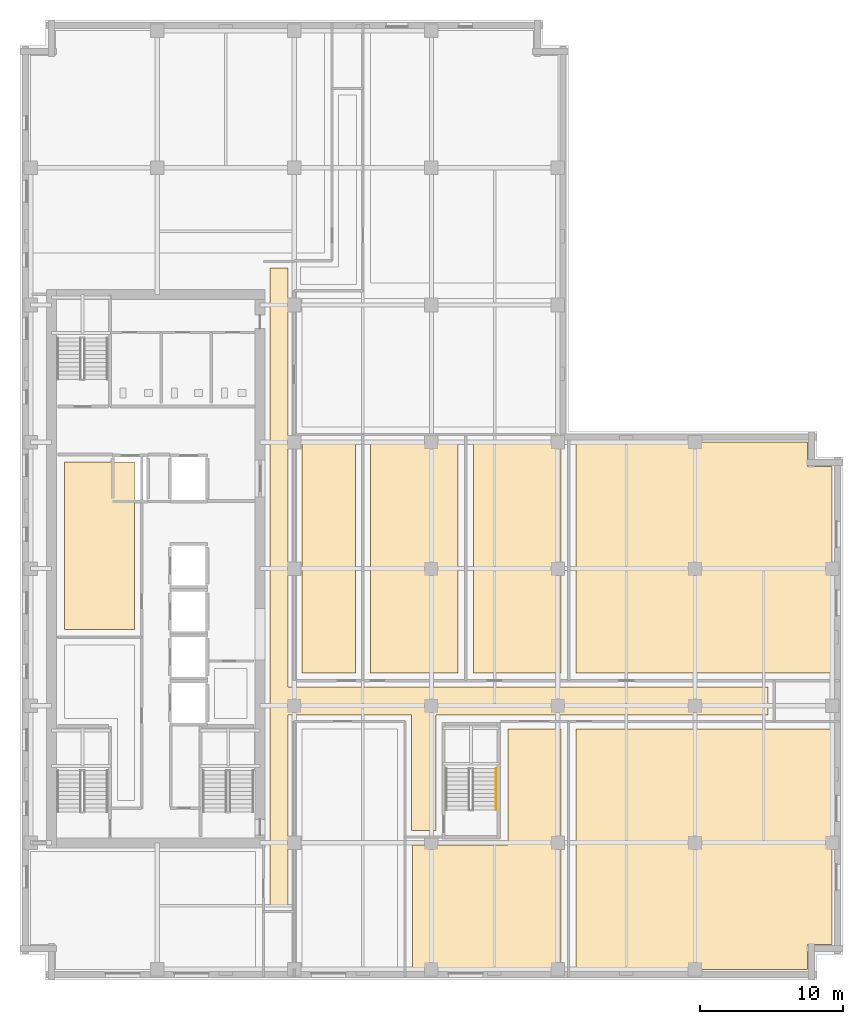
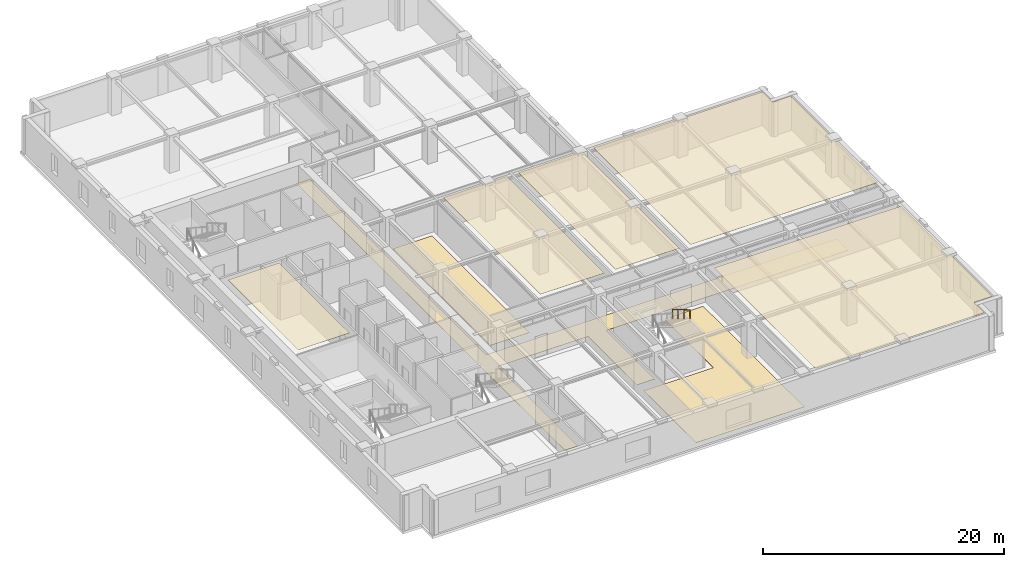
# One storey, part 10 of 13: 8 coverings, 1 railing.
"""IFC4 building model written with IfcOpenShell, lengths in metres."""

from ifc_helpers import new_model, si_unit, direction, frame, origin, origin_2d, place, context, subcontext, project, spatial, polyline, circle, outline, extrude, material, layer, layer_set, type_object, element, save


model = new_model("IFC4")

# Units and contexts
model_context = context("Model", 3, precision=1e-05, world=origin(), true_north=direction((0.0, 1.0)))
body_context = subcontext(model_context, "Body", "Model", "MODEL_VIEW")
ifc_project = project(units=[si_unit("LENGTHUNIT", "METRE"), si_unit("AREAUNIT", "SQUARE_METRE"), si_unit("VOLUMEUNIT", "CUBIC_METRE"), si_unit("PLANEANGLEUNIT", "RADIAN"), si_unit("MASSUNIT", "GRAM", prefix="KILO")], contexts=[model_context])

# Site, building, storey
site_placement = place(None, origin())
site = spatial("IfcSite", under=ifc_project, at=site_placement, CompositionType="ELEMENT")
building_placement = place(site_placement, origin())
building = spatial("IfcBuilding", under=site, at=building_placement, Name="Norrvale University Quadrangle", CompositionType="ELEMENT")
storey_placement = place(building_placement, frame((0.0, 0.0, 178.800048828125)))
storey = spatial("IfcBuildingStorey", under=building, at=storey_placement, Name="L45", CompositionType="ELEMENT", Elevation=178.800048828125)

# Coverings
ifc_material_1 = material(Name="Perforated Acoustic Mineral Ceiling")
ifc_layer_1 = layer(ifc_material_1, 0.02490234375, Name="Perforated Acoustic Mineral Ceiling")
ifc_layer_set_1 = layer_set([ifc_layer_1], Name="Perforated Acoustic Mineral Ceiling")
covering_type_1 = type_object("IfcCoveringType", Name="Covering Acoustic Ceiling 25", PredefinedType="CEILING", material=ifc_layer_set_1)
covering_1_placement = place(storey_placement, frame((0.0, 0.0, 3.514892578125)))
element("IfcCovering", 1, at=covering_1_placement, inside=storey, type_object=covering_type_1, Name="Acoustic Ceiling RM-L45-REC2", PredefinedType="CEILING", context=body_context, shape_type="SweptSolid", body=[
    extrude(outline(polyline([(3.10009765625, 24.550048828125), (3.10009765625, 36.25), (8.0, 36.25), (8.0, 24.550048828125), (3.10009765625, 24.550048828125)])), origin(), (0.0, 0.0, 1.0), 0.025146484375),
])
covering_2_placement = place(storey_placement, frame((0.0, 0.0, 3.514892578125)))
element("IfcCovering", 2, at=covering_2_placement, inside=storey, type_object=covering_type_1, Name="Acoustic Ceiling RM-L45-SE3", PredefinedType="CEILING", context=body_context, shape_type="SweptSolid", body=[
    extrude(outline(polyline([(38.929931640625, 0.75), (38.929931640625, 17.570068359375), (56.85009765625, 17.570068359375), (56.85009765625, 2.469970703125), (55.1298828125, 2.469970703125), (55.1298828125, 0.75), (38.929931640625, 0.75)])), origin(), (0.0, 0.0, 1.0), 0.025146484375),
])
covering_3_placement = place(storey_placement, frame((0.0, 0.0, 3.514892578125)))
element("IfcCovering", 3, at=covering_3_placement, inside=storey, type_object=covering_type_1, Name="Acoustic Ceiling RM-L45-ME02", PredefinedType="CEILING", context=body_context, shape_type="SweptSolid", body=[
    extrude(outline(polyline([(24.530029296875, 37.64990234375), (30.669921875, 37.64990234375), (30.669921875, 21.47998046875), (24.530029296875, 21.47998046875), (24.530029296875, 37.64990234375)])), origin(), (0.0, 0.0, 1.0), 0.025146484375),
])
covering_4_placement = place(storey_placement, frame((0.0, 0.0, 3.514892578125)))
element("IfcCovering", 4, at=covering_4_placement, inside=storey, type_object=covering_type_1, Name="Acoustic Ceiling RM-L45-ME03", PredefinedType="CEILING", context=body_context, shape_type="SweptSolid", body=[
    extrude(outline(polyline([(31.72998046875, 37.64990234375), (37.8701171875, 37.64990234375), (37.8701171875, 21.47998046875), (31.72998046875, 21.47998046875), (31.72998046875, 37.64990234375)])), origin(), (0.0, 0.0, 1.0), 0.025146484375),
])
covering_5_placement = place(storey_placement, frame((0.0, 0.0, 3.514892578125)))
element("IfcCovering", 5, at=covering_5_placement, inside=storey, type_object=covering_type_1, Name="Acoustic Ceiling RM-L45-ME04", PredefinedType="CEILING", context=body_context, shape_type="SweptSolid", body=[
    extrude(outline(polyline([(56.85009765625, 21.47998046875), (38.929931640625, 21.47998046875), (38.929931640625, 37.64990234375), (55.1298828125, 37.64990234375), (55.1298828125, 35.929931640625), (56.85009765625, 35.929931640625), (56.85009765625, 21.47998046875)])), origin(), (0.0, 0.0, 1.0), 0.025146484375),
])
ifc_material_2 = material(Name="Polished Terrazzo Flooring")
ifc_layer_2 = layer(ifc_material_2, 0.02490234375, Name="Polished Terrazzo Flooring")
ifc_layer_set_2 = layer_set([ifc_layer_2], Name="Polished Terrazzo Flooring")
covering_type_2 = type_object("IfcCoveringType", Name="Covering Terrazzo Floor 30", PredefinedType="FLOORING", material=ifc_layer_set_2)
covering_6_placement = place(storey_placement, origin())
element("IfcCovering", 6, at=covering_6_placement, inside=storey, type_object=covering_type_2, Name="Terrazzo Flooring RM-L45-CORR1", PredefinedType="FLOORING", context=body_context, shape_type="SweptSolid", body=[
    extrude(outline(polyline([(17.5, 5.25), (17.5, 49.85009765625), (18.75, 49.85009765625), (18.75, 20.5), (52.35009765625, 20.5), (52.35009765625, 18.550048828125), (29.1298828125, 18.550048828125), (29.1298828125, 10.449951171875), (27.39990234375, 10.449951171875), (27.39990234375, 18.550048828125), (18.75, 18.550048828125), (18.75, 5.25), (17.5, 5.25)])), origin(), (0.0, 0.0, 1.0), 0.02490234375),
])
covering_7_placement = place(storey_placement, origin())
element("IfcCovering", 7, at=covering_7_placement, inside=storey, type_object=covering_type_2, Name="Terrazzo Flooring RM-L45-SE2", PredefinedType="FLOORING", context=body_context, shape_type="SweptSolid", body=[
    extrude(outline(polyline([(27.47998046875, 9.449951171875), (34.14990234375, 9.449951171875), (34.14990234375, 17.570068359375), (37.8701171875, 17.570068359375), (37.8701171875, 0.75), (27.47998046875, 0.75), (27.47998046875, 9.449951171875)])), origin(), (0.0, 0.0, 1.0), 0.02490234375),
])
covering_8_placement = place(storey_placement, origin())
element("IfcCovering", 8, at=covering_8_placement, inside=storey, type_object=covering_type_2, Name="Terrazzo Flooring RM-L45-ME01", PredefinedType="FLOORING", context=body_context, shape_type="SweptSolid", body=[
    extrude(outline(polyline([(19.72998046875, 37.64990234375), (23.469970703125, 37.64990234375), (23.469970703125, 21.47998046875), (19.72998046875, 21.47998046875), (19.72998046875, 37.64990234375)])), origin(), (0.0, 0.0, 1.0), 0.02490234375),
])

# Railing
ifc_material_3 = material(Name="Stainless Steel 316L Handrail", Category="steel")
railing_type = type_object("IfcRailingType", Name="Railing Stair Handrail 920", PredefinedType="HANDRAIL", material=ifc_material_3)
railing_placement = place(storey_placement, frame((33.31005859375, 14.800048828125, 2.07275390625)))
element("IfcRailing", 9, at=railing_placement, inside=storey, type_object=railing_type, Name="Stair Upper Flight Handrail ST-04 L45", PredefinedType="HANDRAIL", context=body_context, shape_type="SweptSolid", body=[
    extrude(circle(Radius=0.02392578125, at=origin_2d()), frame((0.0, 0.0, 0.89599609375), z_axis=(0.0, -0.859160404282, 0.51170636083), x_axis=(1.0, 0.0, 0.0)), (0.0, 0.0, 1.0), 3.37548828125),
    extrude(circle(Radius=0.02099609375, at=origin_2d()), origin(), (0.0, 0.0, 1.0), 0.871826171875),
    extrude(circle(Radius=0.02099609375, at=origin_2d()), frame((0.0, -0.966796875, 0.57568359375)), (0.0, 0.0, 1.0), 0.871826171875),
    extrude(circle(Radius=0.02099609375, at=origin_2d()), frame((0.0, -1.933349609375, 1.151611328125)), (0.0, 0.0, 1.0), 0.871826171875),
    extrude(circle(Radius=0.02099609375, at=origin_2d()), frame((0.0, -2.900146484375, 1.727294921875)), (0.0, 0.0, 1.0), 0.871826171875),
])

save(model, "model.ifc")
